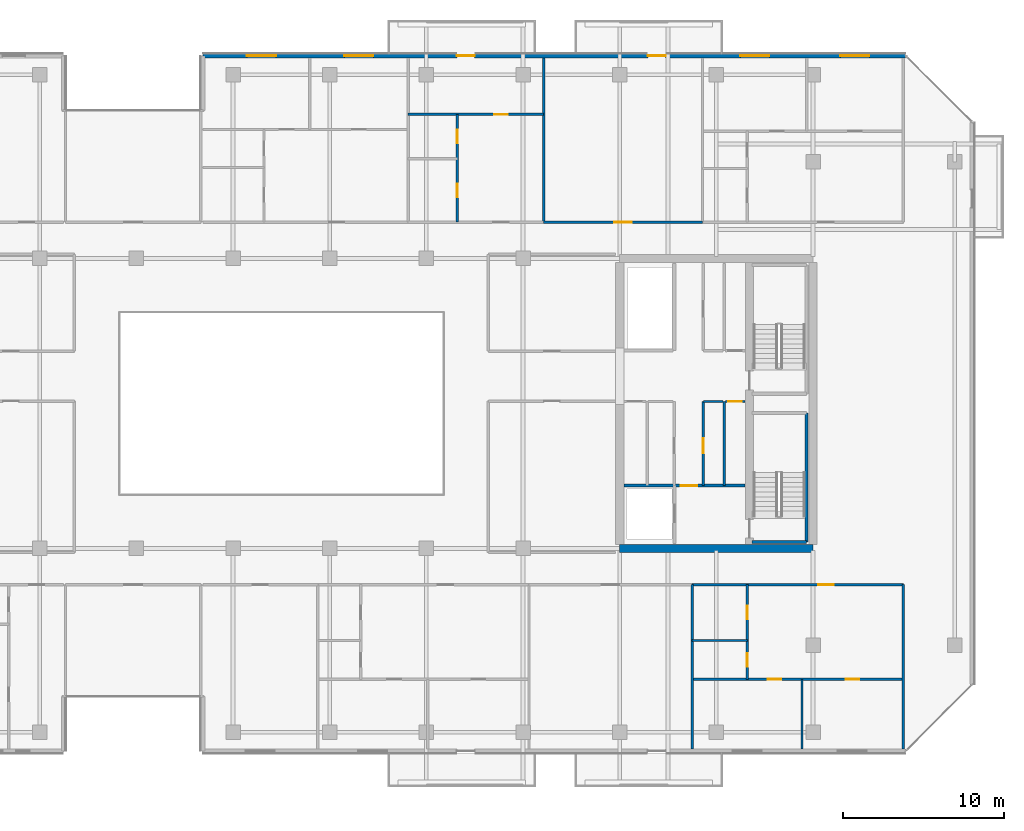
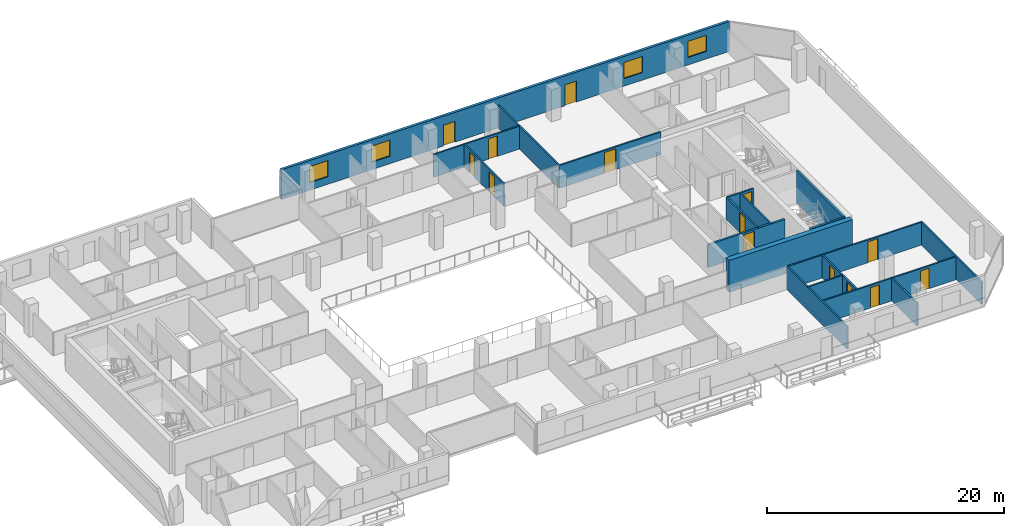
# One storey, part 23 of 29: 20 walls, 14 doors, 4 windows, 18 openings.
"""IFC4 building model written with IfcOpenShell, lengths in metres."""

import ifcopenshell
import ifcopenshell.guid

model = None  # the IFC model being written
_history = None  # IfcOwnerHistory: only IFC2X3 demands one
_inside = {}  # id of a spatial element -> (the spatial element, [elements in it])
_under = {}  # id of a project, library or spatial element -> (it, [spatial elements below it])
_declared = {}  # id of a project -> (the project, [libraries it declares])
_typed = {}  # id of a type object -> (the type object, [elements of that type])
_made_of = {}  # id of a material, layer set ... -> (it, [elements and type objects made of it])


def new_model(schema):
    """Start an empty IFC model of exactly this schema.

    Asked for "IFC4X3", IfcOpenShell would pick the latest addendum, in which some entities
    have other attributes; the version numbers below select the first issue.
    IFC2X3 requires an IfcOwnerHistory on every rooted entity: one is made here for all.
    """
    global model, _history
    if schema == "IFC4X3":
        model = ifcopenshell.file(schema_version=(4, 3, 0, 0))
    else:
        model = ifcopenshell.file(schema=schema)
    _inside.clear()
    _under.clear()
    _declared.clear()
    _typed.clear()
    _made_of.clear()
    _history = None
    if model.schema == "IFC2X3":
        org = make("IfcOrganization", Name="unknown")
        user = make(
            "IfcPersonAndOrganization",
            ThePerson=make("IfcPerson", FamilyName="unknown"),
            TheOrganization=org,
        )
        app = make(
            "IfcApplication",
            ApplicationDeveloper=org,
            Version="unknown",
            ApplicationFullName="unknown",
            ApplicationIdentifier="unknown",
        )
        _history = make(
            "IfcOwnerHistory",
            OwningUser=user,
            OwningApplication=app,
            ChangeAction="ADDED",
            CreationDate=0,
        )
    return model


def make(cls, **values):
    """One entity of the class cls with the attributes given. An attribute that is None is left unset."""
    return model.create_entity(
        cls, **{name: value for name, value in values.items() if value is not None}
    )


def rooted(cls, **values):
    """An entity with a GlobalId (a new one), such as an element, a storey or a relation."""
    return make(cls, GlobalId=ifcopenshell.guid.new(), OwnerHistory=_history, **values)


def si_unit(unit_type, name, prefix=None):
    """IfcSIUnit, for example si_unit("LENGTHUNIT", "METRE", prefix="MILLI")."""
    return make("IfcSIUnit", UnitType=unit_type, Prefix=prefix, Name=name)


def assignment(units):
    """IfcUnitAssignment: the units of a project."""
    return None if units is None else make("IfcUnitAssignment", Units=units)


def point(xyz):
    """IfcCartesianPoint."""
    return None if xyz is None else make("IfcCartesianPoint", Coordinates=xyz)


def direction(xyz):
    """IfcDirection."""
    return None if xyz is None else make("IfcDirection", DirectionRatios=xyz)


def frame(location, z_axis=None, x_axis=None):
    """IfcAxis2Placement3D, a coordinate frame: its origin and axes. An axis left out is left unset."""
    return make(
        "IfcAxis2Placement3D",
        Location=point(location),
        Axis=direction(z_axis),
        RefDirection=direction(x_axis),
    )


def frame_2d(location, x_axis=None):
    """IfcAxis2Placement2D, a coordinate frame in the plane: its origin and x axis."""
    return make(
        "IfcAxis2Placement2D", Location=point(location), RefDirection=direction(x_axis)
    )


def origin():
    """The frame at (0, 0, 0) with its axes left unset."""
    return frame((0.0, 0.0, 0.0))


def place(relative_to, where):
    """IfcLocalPlacement: puts the frame where relative to a parent placement (None: the world)."""
    return make(
        "IfcLocalPlacement", PlacementRelTo=relative_to, RelativePlacement=where
    )


def context(
    kind, dimensions, precision=None, world=None, true_north=None, identifier=None
):
    """IfcGeometricRepresentationContext, for example the 3D "Model" context."""
    return make(
        "IfcGeometricRepresentationContext",
        ContextIdentifier=identifier,
        ContextType=kind,
        CoordinateSpaceDimension=dimensions,
        Precision=precision,
        WorldCoordinateSystem=world,
        TrueNorth=true_north,
    )


def subcontext(parent, identifier, kind, view, scale=None):
    """IfcGeometricRepresentationSubContext, for example "Body" below "Model"."""
    return make(
        "IfcGeometricRepresentationSubContext",
        ContextIdentifier=identifier,
        ContextType=kind,
        ParentContext=parent,
        TargetScale=scale,
        TargetView=view,
    )


def project(units=None, contexts=None):
    """IfcProject with its units and contexts."""
    return rooted(
        "IfcProject",
        Name="project",
        RepresentationContexts=contexts,
        UnitsInContext=assignment(units),
    )


def spatial(cls, under=None, at=None, **own):
    """A site, building, storey or space (cls), placed at a placement, below another one or the project."""
    s = rooted(cls, ObjectPlacement=at, **own)
    if under is not None:
        _under.setdefault(under.id(), (under, []))[1].append(s)
    return s


def profile(cls, at=None, kind="AREA", **sizes):
    """A parametric profile (cls). Its sizes go by their IFC names, for example OverallWidth=200.0."""
    return make(cls, ProfileType=kind, Position=at, **sizes)


def rectangle(**sizes):
    """IfcRectangleProfileDef."""
    return profile("IfcRectangleProfileDef", **sizes)


def extrude(swept, where, along, depth):
    """IfcExtrudedAreaSolid: the profile swept, set in the frame where, extruded along a direction by depth."""
    return make(
        "IfcExtrudedAreaSolid",
        SweptArea=swept,
        Position=where,
        ExtrudedDirection=direction(along),
        Depth=depth,
    )


def shape(context_of_items, identifier, shape_type, items):
    """IfcShapeRepresentation: the items that make up one representation, for example the "Body"."""
    return make(
        "IfcShapeRepresentation",
        ContextOfItems=context_of_items,
        RepresentationIdentifier=identifier,
        RepresentationType=shape_type,
        Items=items,
    )


def material(Name=None, Category=None):
    """IfcMaterial."""
    return make("IfcMaterial", Name=Name, Category=Category)


def layer(
    of_material, thickness, ventilated=None, Name=None, Category=None, Priority=None
):
    """IfcMaterialLayer: one layer of a wall or slab, of a material (None: an air gap)."""
    return make(
        "IfcMaterialLayer",
        Material=of_material,
        LayerThickness=thickness,
        IsVentilated=ventilated,
        Name=Name,
        Category=Category,
        Priority=Priority,
    )


def layer_set(layers, Name=None):
    """IfcMaterialLayerSet."""
    return make("IfcMaterialLayerSet", MaterialLayers=layers, LayerSetName=Name)


def made_of(thing, what):
    """Note that an element or type object is made of a material, layer set ...; save() writes the relation."""
    if what is not None:
        _made_of.setdefault(what.id(), (what, []))[1].append(thing)
    return thing


def type_object(cls, material=None, **own):
    """A type object (cls), such as IfcWallType, which elements share."""
    return made_of(rooted(cls, **own), material)


def element(
    cls,
    number,
    at=None,
    inside=None,
    cuts=None,
    type_object=None,
    material=None,
    context=None,
    identifier="Body",
    shape_type=None,
    held_by="IfcProductDefinitionShape",
    body=None,
    shapes=None,
    **own,
):
    """One element of the class cls, such as IfcWall. Its Tag is "e" and its number.

    at: its placement. inside: the storey or other place that contains it. cuts: it is an
    opening in that element (IfcRelVoidsElement). A single representation is given by context,
    identifier, shape_type and body (its items); several are given by shapes. held_by: the class
    of the entity that holds the representations. save() writes the other relations.
    """
    e = rooted(cls, Tag="e%d" % number, ObjectPlacement=at, **own)
    if body is not None:
        shapes = [shape(context, identifier, shape_type, body)]
    if shapes is not None:
        e.Representation = make(held_by, Representations=shapes)
    if inside is not None:
        _inside.setdefault(inside.id(), (inside, []))[1].append(e)
    if cuts is not None:
        rooted(
            "IfcRelVoidsElement", RelatingBuildingElement=cuts, RelatedOpeningElement=e
        )
    if type_object is not None:
        _typed.setdefault(type_object.id(), (type_object, []))[1].append(e)
    return made_of(e, material)


def fill(opening, filler):
    """IfcRelFillsElement: the door or window that sits in an opening."""
    return rooted(
        "IfcRelFillsElement",
        RelatingOpeningElement=opening,
        RelatedBuildingElement=filler,
    )


def aggregate(whole, parts):
    """IfcRelAggregates: a whole, such as a stair, and the parts it consists of."""
    return rooted("IfcRelAggregates", RelatingObject=whole, RelatedObjects=parts)


def save(model, path):
    """Write the relations noted so far, then the file.

    IfcRelAggregates (storeys below a building ...), IfcRelContainedInSpatialStructure (elements
    in a storey), IfcRelDefinesByType, IfcRelAssociatesMaterial and IfcRelDeclares: one each for
    every whole, place, type object, material and project.
    """
    for whole, parts in _under.values():
        aggregate(whole, parts)
    for where, things in _inside.values():
        rooted(
            "IfcRelContainedInSpatialStructure",
            RelatedElements=things,
            RelatingStructure=where,
        )
    for kind, things in _typed.values():
        rooted("IfcRelDefinesByType", RelatedObjects=things, RelatingType=kind)
    for what, things in _made_of.values():
        rooted("IfcRelAssociatesMaterial", RelatedObjects=things, RelatingMaterial=what)
    for by, libraries in _declared.values():
        rooted("IfcRelDeclares", RelatingContext=by, RelatedDefinitions=libraries)
    model.write(path)


model = new_model("IFC4")

# Units and contexts
model_context = context("Model", 3, precision=1e-05, world=origin(), true_north=direction((0.0, 1.0)))
body_context = subcontext(model_context, "Body", "Model", "MODEL_VIEW")
ifc_project = project(units=[si_unit("LENGTHUNIT", "METRE"), si_unit("AREAUNIT", "SQUARE_METRE"), si_unit("VOLUMEUNIT", "CUBIC_METRE"), si_unit("PLANEANGLEUNIT", "RADIAN"), si_unit("MASSUNIT", "GRAM", prefix="KILO")], contexts=[model_context])

# Site, building, storey
site_placement = place(None, origin())
site = spatial("IfcSite", under=ifc_project, at=site_placement, CompositionType="ELEMENT")
building_placement = place(site_placement, origin())
building = spatial("IfcBuilding", under=site, at=building_placement, Name="Tanjung Sevakor Pilgrim Tower", CompositionType="ELEMENT")
storey_placement = place(building_placement, frame((0.0, 0.0, 151.800048828125)))
storey = spatial("IfcBuildingStorey", under=building, at=storey_placement, Name="L42", CompositionType="ELEMENT", Elevation=151.800048828125)

# Walls
ifc_material_1 = material(Name="Concrete C60/75", Category="concrete")
ifc_layer_1 = layer(ifc_material_1, 0.5)
ifc_layer_set_1 = layer_set([ifc_layer_1], Name="WALL-CW-500")
wall_type_1 = type_object("IfcWallType", Name="WALL-CW-500", PredefinedType="SHEAR", material=ifc_layer_set_1)
wall_1_placement = place(storey_placement, frame((78.0, 24.60009765625, 0.0), z_axis=(0.0, 0.0, 1.0), x_axis=(1.0, 0.0, 0.0)))
element("IfcWall", 1, at=wall_1_placement, inside=storey, type_object=wall_type_1, Name="L42 E Core South Shear Wall", PredefinedType="SHEAR", context=body_context, shape_type="SweptSolid", body=[
    extrude(rectangle(XDim=12.0, YDim=0.5, at=frame_2d((6.0, 0.0))), origin(), (0.0, 0.0, 1.0), 3.300048828125),
])
ifc_material_2 = material(Name="Concrete C40/50", Category="concrete")
ifc_layer_2 = layer(ifc_material_2, 0.14990234375)
ifc_layer_set_2 = layer_set([ifc_layer_2], Name="WT-COMP-150")
wall_type_2 = type_object("IfcWallType", Name="WT-COMP-150", PredefinedType="SOLIDWALL", material=ifc_layer_set_2)
wall_2_placement = place(storey_placement, frame((84.47998046875, 28.5, 0.0), z_axis=(0.0, 0.0, 1.0), x_axis=(0.0, 1.0, 0.0)))
element("IfcWall", 2, at=wall_2_placement, inside=storey, type_object=wall_type_2, Name="L42 Partition IW-L42-019", PredefinedType="SOLIDWALL", context=body_context, shape_type="SweptSolid", body=[
    extrude(rectangle(XDim=5.219970703125, YDim=0.14990234375, at=frame_2d((2.60986328125, 0.0))), origin(), (0.0, 0.0, 1.0), 2.35009765625),
])

# Wall, opening, door
wall_3_placement = place(storey_placement, frame((84.550048828125, 33.719970703125, 0.0), z_axis=(0.0, 0.0, 1.0), x_axis=(1.0, 0.0, 0.0)))
wall_3 = element("IfcWall", 3, at=wall_3_placement, inside=storey, type_object=wall_type_2, Name="L42 Partition IW-L42-020", PredefinedType="SOLIDWALL", context=body_context, shape_type="SweptSolid", body=[
    extrude(rectangle(XDim=1.22998046875, YDim=0.14990234375, at=frame_2d((0.614990234375, 0.0))), origin(), (0.0, 0.0, 1.0), 2.35009765625),
])
opening_1_placement = place(wall_3_placement, frame((0.179931640625, 0.0, 0.0)))
opening_1 = element("IfcOpeningElement", 4, at=opening_1_placement, cuts=wall_3, Name="Opening ID-FD3", PredefinedType="OPENING", context=body_context, shape_type="SweptSolid", body=[
    extrude(rectangle(XDim=0.85009765625, YDim=2.10009765625, at=frame_2d((0.425048828125, 1.050048828125))), frame((0.0, 0.0849609375, 0.0), z_axis=(0.0, -1.0, 0.0), x_axis=(1.0, 0.0, 0.0)), (0.0, 0.0, 1.0), 0.169921875),
])
ifc_material_3 = material(Name="Fire-Rated Timber", Category="wood")
door_type_1 = type_object("IfcDoorType", Name="DT-FIRE-850", OperationType="NOTDEFINED", PredefinedType="DOOR", material=ifc_material_3)
door_1_placement = place(opening_1_placement, origin())
door_1 = element("IfcDoor", 5, at=door_1_placement, inside=storey, type_object=door_type_1, Name="L42 Cleaner Store Door", OperationType="SINGLE_SWING_LEFT", OverallHeight=2.10009765625, OverallWidth=0.85009765625, PredefinedType="DOOR", context=body_context, shape_type="SweptSolid", body=[
    extrude(rectangle(XDim=0.85009765625, YDim=2.10009765625, at=frame_2d((0.425048828125, 1.050048828125))), frame((0.0, 0.02490234375, 0.0), z_axis=(0.0, -1.0, 0.0), x_axis=(1.0, 0.0, 0.0)), (0.0, 0.0, 1.0), 0.050048828125),
])
fill(opening_1, door_1)

# Wall
wall_4_placement = place(storey_placement, frame((83.199951171875, 33.719970703125, 0.0), z_axis=(0.0, 0.0, 1.0), x_axis=(1.0, 0.0, 0.0)))
element("IfcWall", 6, at=wall_4_placement, inside=storey, type_object=wall_type_2, Name="L42 Partition IW-L42-021", PredefinedType="SOLIDWALL", context=body_context, shape_type="SweptSolid", body=[
    extrude(rectangle(XDim=1.219970703125, YDim=0.14990234375, at=frame_2d((0.60986328125, 0.0))), origin(), (0.0, 0.0, 1.0), 2.35009765625),
])

# Wall, opening, door
wall_5_placement = place(storey_placement, frame((83.179931640625, 28.5, 0.0), z_axis=(0.0, 0.0, 1.0), x_axis=(0.0, 1.0, 0.0)))
wall_5 = element("IfcWall", 7, at=wall_5_placement, inside=storey, type_object=wall_type_2, Name="L42 Partition IW-L42-022", PredefinedType="SOLIDWALL", context=body_context, shape_type="SweptSolid", body=[
    extrude(rectangle(XDim=5.219970703125, YDim=0.14990234375, at=frame_2d((2.60986328125, 0.0))), origin(), (0.0, 0.0, 1.0), 2.35009765625),
])
opening_2_placement = place(wall_5_placement, frame((2.0, 0.0, 0.0)))
opening_2 = element("IfcOpeningElement", 8, at=opening_2_placement, cuts=wall_5, Name="Opening ID-FD2", PredefinedType="OPENING", context=body_context, shape_type="SweptSolid", body=[
    extrude(rectangle(XDim=0.949951171875, YDim=2.14990234375, at=frame_2d((0.47509765625, 1.074951171875))), frame((0.0, 0.0849609375, 0.0), z_axis=(0.0, -1.0, 0.0), x_axis=(1.0, 0.0, 0.0)), (0.0, 0.0, 1.0), 0.169921875),
])
ifc_material_4 = material(Name="Fire-Rated Timber", Category="wood")
door_type_2 = type_object("IfcDoorType", Name="DT-FIRE-950", OperationType="NOTDEFINED", PredefinedType="DOOR", material=ifc_material_4)
door_2_placement = place(opening_2_placement, origin())
door_2 = element("IfcDoor", 9, at=door_2_placement, inside=storey, type_object=door_type_2, Name="L42 Housekeeping Pantry Door", OperationType="SINGLE_SWING_RIGHT", OverallHeight=2.14990234375, OverallWidth=0.949951171875, PredefinedType="DOOR", context=body_context, shape_type="SweptSolid", body=[
    extrude(rectangle(XDim=0.949951171875, YDim=2.14990234375, at=frame_2d((0.47509765625, 1.074951171875))), frame((0.0, 0.02490234375, 0.0), z_axis=(0.0, -1.0, 0.0), x_axis=(1.0, 0.0, 0.0)), (0.0, 0.0, 1.0), 0.050048828125),
])
fill(opening_2, door_2)

# Walls
for number, where, z_axis, x_axis, name in (
    (10, (95.60009765625, 12.14990234375, 0.0), (0.0, 0.0, 1.0), (0.0, 1.0, 0.0), "L42 Partition IW-L42-063"),
    (11, (82.49658203125, 12.14990234375, 0.0), (0.0, 0.0, 1.0), (0.0, 1.0, 0.0), "L42 Partition IW-L42-072"),
):
    element("IfcWall", number, at=place(storey_placement, frame(where, z_axis=z_axis, x_axis=x_axis)), inside=storey, type_object=wall_type_2, Name=name, PredefinedType="SOLIDWALL", context=body_context, shape_type="SweptSolid", body=[
        extrude(rectangle(XDim=10.2001953125, YDim=0.14990234375, at=frame_2d((5.10009765625, 0.0))), origin(), (0.0, 0.0, 1.0), 2.35009765625),
    ])

# Wall, opening, door
wall_6_placement = place(storey_placement, frame((82.49658203125, 22.35009765625, 0.0), z_axis=(0.0, 0.0, 1.0), x_axis=(1.0, 0.0, 0.0)))
wall_6 = element("IfcWall", 12, at=wall_6_placement, inside=storey, type_object=wall_type_2, Name="L42 Partition IW-L42-078", PredefinedType="SOLIDWALL", context=body_context, shape_type="SweptSolid", body=[
    extrude(rectangle(XDim=13.103515625, YDim=0.14990234375, at=frame_2d((6.5517578125, 0.0))), origin(), (0.0, 0.0, 1.0), 2.35009765625),
])
opening_3_placement = place(wall_6_placement, frame((7.82861328125, 0.0, 0.0)))
opening_3 = element("IfcOpeningElement", 13, at=opening_3_placement, cuts=wall_6, Name="Opening ID-FD2", PredefinedType="OPENING", context=body_context, shape_type="SweptSolid", body=[
    extrude(rectangle(XDim=0.949951171875, YDim=2.14990234375, at=frame_2d((0.47509765625, 1.074951171875))), frame((0.0, 0.0849609375, 0.0), z_axis=(0.0, -1.0, 0.0), x_axis=(1.0, 0.0, 0.0)), (0.0, 0.0, 1.0), 0.169921875),
])
door_3_placement = place(opening_3_placement, origin())
door_3 = element("IfcDoor", 14, at=door_3_placement, inside=storey, type_object=door_type_2, Name="Suite Entrance", OperationType="SINGLE_SWING_LEFT", OverallHeight=2.14990234375, OverallWidth=0.949951171875, PredefinedType="DOOR", context=body_context, shape_type="SweptSolid", body=[
    extrude(rectangle(XDim=0.949951171875, YDim=2.14990234375, at=frame_2d((0.47509765625, 1.074951171875))), frame((0.0, 0.02490234375, 0.0), z_axis=(0.0, -1.0, 0.0), x_axis=(1.0, 0.0, 0.0)), (0.0, 0.0, 1.0), 0.050048828125),
])
fill(opening_3, door_3)

# Wall
wall_7_placement = place(storey_placement, frame((73.2802734375, 44.85009765625, 0.0), z_axis=(0.0, 0.0, 1.0), x_axis=(0.0, 1.0, 0.0)))
element("IfcWall", 15, at=wall_7_placement, inside=storey, type_object=wall_type_2, Name="L42 Partition IW-L42-096", PredefinedType="SOLIDWALL", context=body_context, shape_type="SweptSolid", body=[
    extrude(rectangle(XDim=10.199951171875, YDim=0.14990234375, at=frame_2d((5.10009765625, 0.0))), origin(), (0.0, 0.0, 1.0), 2.35009765625),
])

# Wall, opening, door
wall_8_placement = place(storey_placement, frame((73.2802734375, 44.85009765625, 0.0), z_axis=(0.0, 0.0, 1.0), x_axis=(1.0, 0.0, 0.0)))
wall_8 = element("IfcWall", 16, at=wall_8_placement, inside=storey, type_object=wall_type_2, Name="L42 Partition IW-L42-102", PredefinedType="SOLIDWALL", context=body_context, shape_type="SweptSolid", body=[
    extrude(rectangle(XDim=9.85546875, YDim=0.14990234375, at=frame_2d((4.927734375, 0.0))), origin(), (0.0, 0.0, 1.0), 2.35009765625),
])
opening_4_placement = place(wall_8_placement, frame((4.377685546875, 0.0, 0.0)))
opening_4 = element("IfcOpeningElement", 17, at=opening_4_placement, cuts=wall_8, Name="Opening ID-FD0", PredefinedType="OPENING", context=body_context, shape_type="SweptSolid", body=[
    extrude(rectangle(XDim=1.10009765625, YDim=2.14990234375, at=frame_2d((0.550048828125, 1.074951171875))), frame((0.0, 0.0849609375, 0.0), z_axis=(0.0, -1.0, 0.0), x_axis=(1.0, 0.0, 0.0)), (0.0, 0.0, 1.0), 0.169921875),
])
ifc_material_5 = material(Name="Fire-Rated Steel S355J2", Category="steel")
door_type_3 = type_object("IfcDoorType", Name="DT-FIRE-1100", OperationType="NOTDEFINED", PredefinedType="DOOR", material=ifc_material_5)
door_4_placement = place(opening_4_placement, origin())
door_4 = element("IfcDoor", 18, at=door_4_placement, inside=storey, type_object=door_type_3, Name="Council Room Door", OperationType="SINGLE_SWING_RIGHT", OverallHeight=2.14990234375, OverallWidth=1.10009765625, PredefinedType="DOOR", context=body_context, shape_type="SweptSolid", body=[
    extrude(rectangle(XDim=1.10009765625, YDim=2.14990234375, at=frame_2d((0.550048828125, 1.074951171875))), frame((0.0, 0.02490234375, 0.0), z_axis=(0.0, -1.0, 0.0), x_axis=(1.0, 0.0, 0.0)), (0.0, 0.0, 1.0), 0.050048828125),
])
fill(opening_4, door_4)

# Wall, openings, doors, windows
ifc_material_6 = material(Name="Precast concrete C45/55", Category="concrete")
ifc_layer_3 = layer(ifc_material_6, 0.25)
ifc_layer_set_3 = layer_set([ifc_layer_3], Name="WT-EW-STN3")
wall_type_3 = type_object("IfcWallType", Name="WT-EW-STN3", PredefinedType="SOLIDWALL", material=ifc_layer_set_3)
wall_9_placement = place(storey_placement, frame((95.748291015625, 55.175048828125, 0.0), z_axis=(0.0, 0.0, 1.0), x_axis=(-1.0, 0.0, 0.0)))
wall_9 = element("IfcWall", 19, at=wall_9_placement, inside=storey, type_object=wall_type_3, Name="L42 MAIN Exterior Wall 9", PredefinedType="SOLIDWALL", context=body_context, shape_type="SweptSolid", body=[
    extrude(rectangle(XDim=43.623291015625, YDim=0.25, at=frame_2d((21.8115234375, 0.0))), origin(), (0.0, 0.0, 1.0), 3.080078125),
])
opening_5_placement = place(wall_9_placement, frame((26.748291015625, 0.0, 0.0)))
opening_5 = element("IfcOpeningElement", 20, at=opening_5_placement, cuts=wall_9, Name="Opening ED-BAL-1100", PredefinedType="OPENING", context=body_context, shape_type="SweptSolid", body=[
    extrude(rectangle(XDim=1.10009765625, YDim=2.14990234375, at=frame_2d((0.550048828125, 1.074951171875))), frame((0.0, 0.135009765625, 0.0), z_axis=(0.0, -1.0, 0.0), x_axis=(1.0, 0.0, 0.0)), (0.0, 0.0, 1.0), 0.27001953125),
])
opening_6_placement = place(wall_9_placement, frame((14.898193359375, 0.0, 0.0)))
opening_6 = element("IfcOpeningElement", 21, at=opening_6_placement, cuts=wall_9, Name="Opening ED-BAL-1100", PredefinedType="OPENING", context=body_context, shape_type="SweptSolid", body=[
    extrude(rectangle(XDim=1.10009765625, YDim=2.14990234375, at=frame_2d((0.550048828125, 1.074951171875))), frame((0.0, 0.135009765625, 0.0), z_axis=(0.0, -1.0, 0.0), x_axis=(1.0, 0.0, 0.0)), (0.0, 0.0, 1.0), 0.27001953125),
])
opening_7_placement = place(wall_9_placement, frame((39.08203125, 0.0, 0.780029296875)))
opening_7 = element("IfcOpeningElement", 22, at=opening_7_placement, cuts=wall_9, Name="Opening WN-Z3-1660", PredefinedType="OPENING", context=body_context, shape_type="SweptSolid", body=[
    extrude(rectangle(XDim=1.800048828125, YDim=1.659912109375, at=frame_2d((0.89990234375, 0.830078125))), frame((0.0, 0.135009765625, 0.0), z_axis=(0.0, -1.0, 0.0), x_axis=(1.0, 0.0, 0.0)), (0.0, 0.0, 1.0), 0.27001953125),
])
opening_8_placement = place(wall_9_placement, frame((33.045166015625, 0.0, 0.780029296875)))
opening_8 = element("IfcOpeningElement", 23, at=opening_8_placement, cuts=wall_9, Name="Opening WN-Z3-1660", PredefinedType="OPENING", context=body_context, shape_type="SweptSolid", body=[
    extrude(rectangle(XDim=1.800048828125, YDim=1.659912109375, at=frame_2d((0.89990234375, 0.830078125))), frame((0.0, 0.135009765625, 0.0), z_axis=(0.0, -1.0, 0.0), x_axis=(1.0, 0.0, 0.0)), (0.0, 0.0, 1.0), 0.27001953125),
])
opening_9_placement = place(wall_9_placement, frame((8.4619140625, 0.0, 0.780029296875)))
opening_9 = element("IfcOpeningElement", 24, at=opening_9_placement, cuts=wall_9, Name="Opening WN-Z3-1660", PredefinedType="OPENING", context=body_context, shape_type="SweptSolid", body=[
    extrude(rectangle(XDim=1.800048828125, YDim=1.659912109375, at=frame_2d((0.89990234375, 0.830078125))), frame((0.0, 0.135009765625, 0.0), z_axis=(0.0, -1.0, 0.0), x_axis=(1.0, 0.0, 0.0)), (0.0, 0.0, 1.0), 0.27001953125),
])
opening_10_placement = place(wall_9_placement, frame((2.249755859375, 0.0, 0.780029296875)))
opening_10 = element("IfcOpeningElement", 25, at=opening_10_placement, cuts=wall_9, Name="Opening WN-Z3-1660", PredefinedType="OPENING", context=body_context, shape_type="SweptSolid", body=[
    extrude(rectangle(XDim=1.800048828125, YDim=1.659912109375, at=frame_2d((0.89990234375, 0.830078125))), frame((0.0, 0.135009765625, 0.0), z_axis=(0.0, -1.0, 0.0), x_axis=(1.0, 0.0, 0.0)), (0.0, 0.0, 1.0), 0.27001953125),
])
ifc_material_7 = material(Name="Anodised Aluminium and Laminated Glass", Category="aluminium")
door_type_4 = type_object("IfcDoorType", Name="DTYP-ED-BAL-1100", OperationType="NOTDEFINED", PredefinedType="DOOR", material=ifc_material_7)
door_5_placement = place(opening_5_placement, frame((1.10009765625, 0.0, 0.0), z_axis=(0.0, 0.0, 1.0), x_axis=(-1.0, 0.0, 0.0)))
door_5 = element("IfcDoor", 26, at=door_5_placement, inside=storey, type_object=door_type_4, Name="L42 Balcony Door MAIN-N2", OperationType="SINGLE_SWING_RIGHT", OverallHeight=2.14990234375, OverallWidth=1.10009765625, PredefinedType="DOOR", context=body_context, shape_type="SweptSolid", body=[
    extrude(rectangle(XDim=1.10009765625, YDim=2.14990234375, at=frame_2d((0.550048828125, 1.074951171875))), frame((0.0, 0.02490234375, 0.0), z_axis=(0.0, -1.0, 0.0), x_axis=(1.0, 0.0, 0.0)), (0.0, 0.0, 1.0), 0.050048828125),
])
fill(opening_5, door_5)
door_6_placement = place(opening_6_placement, frame((1.10009765625, 0.0, 0.0), z_axis=(0.0, 0.0, 1.0), x_axis=(-1.0, 0.0, 0.0)))
door_6 = element("IfcDoor", 27, at=door_6_placement, inside=storey, type_object=door_type_4, Name="L42 Balcony Door MAIN-N3", OperationType="SINGLE_SWING_LEFT", OverallHeight=2.14990234375, OverallWidth=1.10009765625, PredefinedType="DOOR", context=body_context, shape_type="SweptSolid", body=[
    extrude(rectangle(XDim=1.10009765625, YDim=2.14990234375, at=frame_2d((0.550048828125, 1.074951171875))), frame((0.0, 0.02490234375, 0.0), z_axis=(0.0, -1.0, 0.0), x_axis=(1.0, 0.0, 0.0)), (0.0, 0.0, 1.0), 0.050048828125),
])
fill(opening_6, door_6)
ifc_material_8 = material(Name="Thermally Broken Aluminium and Low-E Glass", Category="aluminium")
window_type = type_object("IfcWindowType", Name="WTYP-WN-Z3-1660", PartitioningType="DOUBLE_PANEL_VERTICAL", PredefinedType="WINDOW", material=ifc_material_8)
window_1_placement = place(opening_7_placement, origin())
window_1 = element("IfcWindow", 28, at=window_1_placement, inside=storey, type_object=window_type, Name="L42 Facade Window 01", OverallHeight=1.659912109375, OverallWidth=1.800048828125, PartitioningType="SINGLE_PANEL", PredefinedType="WINDOW", context=body_context, shape_type="SweptSolid", body=[
    extrude(rectangle(XDim=1.800048828125, YDim=1.659912109375, at=frame_2d((0.89990234375, 0.830078125))), frame((0.0, 0.030029296875, 0.0), z_axis=(0.0, -1.0, 0.0), x_axis=(1.0, 0.0, 0.0)), (0.0, 0.0, 1.0), 0.06005859375),
])
fill(opening_7, window_1)
window_2_placement = place(opening_8_placement, origin())
window_2 = element("IfcWindow", 29, at=window_2_placement, inside=storey, type_object=window_type, Name="L42 Facade Window 02", OverallHeight=1.659912109375, OverallWidth=1.800048828125, PartitioningType="SINGLE_PANEL", PredefinedType="WINDOW", context=body_context, shape_type="SweptSolid", body=[
    extrude(rectangle(XDim=1.800048828125, YDim=1.659912109375, at=frame_2d((0.89990234375, 0.830078125))), frame((0.0, 0.030029296875, 0.0), z_axis=(0.0, -1.0, 0.0), x_axis=(1.0, 0.0, 0.0)), (0.0, 0.0, 1.0), 0.06005859375),
])
fill(opening_8, window_2)
window_3_placement = place(opening_9_placement, origin())
window_3 = element("IfcWindow", 30, at=window_3_placement, inside=storey, type_object=window_type, Name="L42 Facade Window 03", OverallHeight=1.659912109375, OverallWidth=1.800048828125, PartitioningType="SINGLE_PANEL", PredefinedType="WINDOW", context=body_context, shape_type="SweptSolid", body=[
    extrude(rectangle(XDim=1.800048828125, YDim=1.659912109375, at=frame_2d((0.89990234375, 0.830078125))), frame((0.0, 0.030029296875, 0.0), z_axis=(0.0, -1.0, 0.0), x_axis=(1.0, 0.0, 0.0)), (0.0, 0.0, 1.0), 0.06005859375),
])
fill(opening_9, window_3)
window_4_placement = place(opening_10_placement, origin())
window_4 = element("IfcWindow", 31, at=window_4_placement, inside=storey, type_object=window_type, Name="L42 Facade Window 04", OverallHeight=1.659912109375, OverallWidth=1.800048828125, PartitioningType="SINGLE_PANEL", PredefinedType="WINDOW", context=body_context, shape_type="SweptSolid", body=[
    extrude(rectangle(XDim=1.800048828125, YDim=1.659912109375, at=frame_2d((0.89990234375, 0.830078125))), frame((0.0, 0.030029296875, 0.0), z_axis=(0.0, -1.0, 0.0), x_axis=(1.0, 0.0, 0.0)), (0.0, 0.0, 1.0), 0.06005859375),
])
fill(opening_10, window_4)

# Walls
ifc_material_9 = material(Name="Concrete C40/50", Category="concrete")
ifc_layer_4 = layer(ifc_material_9, 0.199951171875)
ifc_layer_set_4 = layer_set([ifc_layer_4], Name="WT-FIRE-200")
wall_type_4 = type_object("IfcWallType", Name="WT-FIRE-200", PredefinedType="SOLIDWALL", material=ifc_layer_set_4)
wall_10_placement = place(storey_placement, frame((86.199951171875, 25.0, 0.0), z_axis=(0.0, 0.0, 1.0), x_axis=(1.0, 0.0, 0.0)))
element("IfcWall", 32, at=wall_10_placement, inside=storey, type_object=wall_type_4, Name="L42 TS-E1 Shaft Wall 1", PredefinedType="SOLIDWALL", context=body_context, shape_type="SweptSolid", body=[
    extrude(rectangle(XDim=3.400146484375, YDim=0.199951171875, at=frame_2d((1.7001953125, 0.0))), origin(), (0.0, 0.0, 1.0), 3.300048828125),
])
wall_11_placement = place(storey_placement, frame((89.60009765625, 25.0, 0.0), z_axis=(0.0, 0.0, 1.0), x_axis=(0.0, 1.0, 0.0)))
element("IfcWall", 33, at=wall_11_placement, inside=storey, type_object=wall_type_4, Name="L42 TS-E1 Shaft Wall 2", PredefinedType="SOLIDWALL", context=body_context, shape_type="SweptSolid", body=[
    extrude(rectangle(XDim=8.0, YDim=0.199951171875, at=frame_2d((4.0, 0.0))), origin(), (0.0, 0.0, 1.0), 3.300048828125),
])

# Wall, opening, door
ifc_material_10 = material(Name="Concrete C40/50", Category="concrete")
ifc_layer_5 = layer(ifc_material_10, 0.199951171875)
ifc_layer_set_5 = layer_set([ifc_layer_5], Name="WT-FPRT-200")
wall_type_5 = type_object("IfcWallType", Name="WT-FPRT-200", PredefinedType="SOLIDWALL", material=ifc_layer_set_5)
wall_12_placement = place(storey_placement, frame((78.27001953125, 28.5, 0.0), z_axis=(0.0, 0.0, 1.0), x_axis=(1.0, 0.0, 0.0)))
wall_12 = element("IfcWall", 34, at=wall_12_placement, inside=storey, type_object=wall_type_5, Name="L42 Partition IW-L42-018", PredefinedType="SOLIDWALL", context=body_context, shape_type="SweptSolid", body=[
    extrude(rectangle(XDim=7.510009765625, YDim=0.199951171875, at=frame_2d((3.7548828125, 0.0))), origin(), (0.0, 0.0, 1.0), 2.35009765625),
])
opening_11_placement = place(wall_12_placement, frame((3.530029296875, 0.0, 0.0)))
opening_11 = element("IfcOpeningElement", 35, at=opening_11_placement, cuts=wall_12, Name="Opening ID-FD1", PredefinedType="OPENING", context=body_context, shape_type="SweptSolid", body=[
    extrude(rectangle(XDim=1.0, YDim=2.14990234375, at=frame_2d((0.5, 1.074951171875))), frame((0.0, 0.10986328125, 0.0), z_axis=(0.0, -1.0, 0.0), x_axis=(1.0, 0.0, 0.0)), (0.0, 0.0, 1.0), 0.219970703125),
])
ifc_material_11 = material(Name="Fire-Rated Steel S355J2", Category="steel")
door_type_5 = type_object("IfcDoorType", Name="DT-FIRE-1000", OperationType="NOTDEFINED", PredefinedType="DOOR", material=ifc_material_11)
door_7_placement = place(opening_11_placement, origin())
door_7 = element("IfcDoor", 36, at=door_7_placement, inside=storey, type_object=door_type_5, Name="Fire Lobby Door E", OperationType="SINGLE_SWING_RIGHT", OverallHeight=2.14990234375, OverallWidth=1.0, PredefinedType="DOOR", context=body_context, shape_type="SweptSolid", body=[
    extrude(rectangle(XDim=1.0, YDim=2.14990234375, at=frame_2d((0.5, 1.074951171875))), frame((0.0, 0.02490234375, 0.0), z_axis=(0.0, -1.0, 0.0), x_axis=(1.0, 0.0, 0.0)), (0.0, 0.0, 1.0), 0.050048828125),
])
fill(opening_11, door_7)

# Wall
ifc_material_12 = material(Name="Gypsum Board Partition", Category="gypsum board")
ifc_layer_6 = layer(ifc_material_12, 0.14990234375)
ifc_layer_set_6 = layer_set([ifc_layer_6], Name="WT-PART-150")
wall_type_6 = type_object("IfcWallType", Name="WT-PART-150", PredefinedType="PARTITIONING", material=ifc_layer_set_6)
wall_13_placement = place(storey_placement, frame((82.49658203125, 18.88623046875, 0.0), z_axis=(0.0, 0.0, 1.0), x_axis=(1.0, 0.0, 0.0)))
element("IfcWall", 37, at=wall_13_placement, inside=storey, type_object=wall_type_6, Name="L42 Partition IW-L42-074", PredefinedType="PARTITIONING", context=body_context, shape_type="SweptSolid", body=[
    extrude(rectangle(XDim=3.42333984375, YDim=0.14990234375, at=frame_2d((1.711669921875, 0.0))), origin(), (0.0, 0.0, 1.0), 2.35009765625),
])

# Wall, openings, doors
wall_14_placement = place(storey_placement, frame((85.919921875, 16.4794921875, 0.0), z_axis=(0.0, 0.0, 1.0), x_axis=(0.0, 1.0, 0.0)))
wall_14 = element("IfcWall", 38, at=wall_14_placement, inside=storey, type_object=wall_type_6, Name="L42 Partition IW-L42-075", PredefinedType="PARTITIONING", context=body_context, shape_type="SweptSolid", body=[
    extrude(rectangle(XDim=5.87060546875, YDim=0.14990234375, at=frame_2d((2.935302734375, 0.0))), origin(), (0.0, 0.0, 1.0), 2.35009765625),
])
opening_12_placement = place(wall_14_placement, frame((0.778564453125, 0.0, 0.0)))
opening_12 = element("IfcOpeningElement", 39, at=opening_12_placement, cuts=wall_14, Name="Opening ID-WC1", PredefinedType="OPENING", context=body_context, shape_type="SweptSolid", body=[
    extrude(rectangle(XDim=0.85009765625, YDim=2.10009765625, at=frame_2d((0.425048828125, 1.050048828125))), frame((0.0, 0.0849609375, 0.0), z_axis=(0.0, -1.0, 0.0), x_axis=(1.0, 0.0, 0.0)), (0.0, 0.0, 1.0), 0.169921875),
])
opening_13_placement = place(wall_14_placement, frame((3.7138671875, 0.0, 0.0)))
opening_13 = element("IfcOpeningElement", 40, at=opening_13_placement, cuts=wall_14, Name="Opening ID-WC1", PredefinedType="OPENING", context=body_context, shape_type="SweptSolid", body=[
    extrude(rectangle(XDim=0.85009765625, YDim=2.10009765625, at=frame_2d((0.425048828125, 1.050048828125))), frame((0.0, 0.0849609375, 0.0), z_axis=(0.0, -1.0, 0.0), x_axis=(1.0, 0.0, 0.0)), (0.0, 0.0, 1.0), 0.169921875),
])
ifc_material_13 = material(Name="Moisture-Resistant Timber", Category="wood")
door_type_6 = type_object("IfcDoorType", Name="DT-INT-850", OperationType="NOTDEFINED", PredefinedType="DOOR", material=ifc_material_13)
door_8_placement = place(opening_12_placement, origin())
door_8 = element("IfcDoor", 41, at=door_8_placement, inside=storey, type_object=door_type_6, Name="Suite Bathroom Door", OperationType="SINGLE_SWING_LEFT", OverallHeight=2.10009765625, OverallWidth=0.85009765625, PredefinedType="DOOR", context=body_context, shape_type="SweptSolid", body=[
    extrude(rectangle(XDim=0.85009765625, YDim=2.10009765625, at=frame_2d((0.425048828125, 1.050048828125))), frame((0.0, 0.02490234375, 0.0), z_axis=(0.0, -1.0, 0.0), x_axis=(1.0, 0.0, 0.0)), (0.0, 0.0, 1.0), 0.050048828125),
])
fill(opening_12, door_8)
door_9_placement = place(opening_13_placement, origin())
door_9 = element("IfcDoor", 42, at=door_9_placement, inside=storey, type_object=door_type_6, Name="Suite Kitchenette Door", OperationType="SINGLE_SWING_RIGHT", OverallHeight=2.10009765625, OverallWidth=0.85009765625, PredefinedType="DOOR", context=body_context, shape_type="SweptSolid", body=[
    extrude(rectangle(XDim=0.85009765625, YDim=2.10009765625, at=frame_2d((0.425048828125, 1.050048828125))), frame((0.0, 0.02490234375, 0.0), z_axis=(0.0, -1.0, 0.0), x_axis=(1.0, 0.0, 0.0)), (0.0, 0.0, 1.0), 0.050048828125),
])
fill(opening_13, door_9)

# Wall
wall_15_placement = place(storey_placement, frame((89.310302734375, 12.14990234375, 0.0), z_axis=(0.0, 0.0, 1.0), x_axis=(0.0, 1.0, 0.0)))
element("IfcWall", 43, at=wall_15_placement, inside=storey, type_object=wall_type_6, Name="L42 Partition IW-L42-076", PredefinedType="PARTITIONING", context=body_context, shape_type="SweptSolid", body=[
    extrude(rectangle(XDim=4.32958984375, YDim=0.14990234375, at=frame_2d((2.164794921875, 0.0))), origin(), (0.0, 0.0, 1.0), 2.35009765625),
])

# Wall, openings, doors
wall_16_placement = place(storey_placement, frame((82.49658203125, 16.4794921875, 0.0), z_axis=(0.0, 0.0, 1.0), x_axis=(1.0, 0.0, 0.0)))
wall_16 = element("IfcWall", 44, at=wall_16_placement, inside=storey, type_object=wall_type_6, Name="L42 Partition IW-L42-077", PredefinedType="PARTITIONING", context=body_context, shape_type="SweptSolid", body=[
    extrude(rectangle(XDim=13.103515625, YDim=0.14990234375, at=frame_2d((6.5517578125, 0.0))), origin(), (0.0, 0.0, 1.0), 2.35009765625),
])
opening_14_placement = place(wall_16_placement, frame((4.693603515625, 0.0, 0.0)))
opening_14 = element("IfcOpeningElement", 45, at=opening_14_placement, cuts=wall_16, Name="Opening ID-WC1", PredefinedType="OPENING", context=body_context, shape_type="SweptSolid", body=[
    extrude(rectangle(XDim=0.85009765625, YDim=2.10009765625, at=frame_2d((0.425048828125, 1.050048828125))), frame((0.0, 0.0849609375, 0.0), z_axis=(0.0, -1.0, 0.0), x_axis=(1.0, 0.0, 0.0)), (0.0, 0.0, 1.0), 0.169921875),
])
opening_15_placement = place(wall_16_placement, frame((9.53369140625, 0.0, 0.0)))
opening_15 = element("IfcOpeningElement", 46, at=opening_15_placement, cuts=wall_16, Name="Opening ID-WC1", PredefinedType="OPENING", context=body_context, shape_type="SweptSolid", body=[
    extrude(rectangle(XDim=0.85009765625, YDim=2.10009765625, at=frame_2d((0.425048828125, 1.050048828125))), frame((0.0, 0.0849609375, 0.0), z_axis=(0.0, -1.0, 0.0), x_axis=(1.0, 0.0, 0.0)), (0.0, 0.0, 1.0), 0.169921875),
])
door_10_placement = place(opening_14_placement, origin())
door_10 = element("IfcDoor", 47, at=door_10_placement, inside=storey, type_object=door_type_6, Name="Suite Bedroom 1 Door", OperationType="SINGLE_SWING_LEFT", OverallHeight=2.10009765625, OverallWidth=0.85009765625, PredefinedType="DOOR", context=body_context, shape_type="SweptSolid", body=[
    extrude(rectangle(XDim=0.85009765625, YDim=2.10009765625, at=frame_2d((0.425048828125, 1.050048828125))), frame((0.0, 0.02490234375, 0.0), z_axis=(0.0, -1.0, 0.0), x_axis=(1.0, 0.0, 0.0)), (0.0, 0.0, 1.0), 0.050048828125),
])
fill(opening_14, door_10)
door_11_placement = place(opening_15_placement, origin())
door_11 = element("IfcDoor", 48, at=door_11_placement, inside=storey, type_object=door_type_6, Name="Suite Bedroom 2 Door", OperationType="SINGLE_SWING_RIGHT", OverallHeight=2.10009765625, OverallWidth=0.85009765625, PredefinedType="DOOR", context=body_context, shape_type="SweptSolid", body=[
    extrude(rectangle(XDim=0.85009765625, YDim=2.10009765625, at=frame_2d((0.425048828125, 1.050048828125))), frame((0.0, 0.02490234375, 0.0), z_axis=(0.0, -1.0, 0.0), x_axis=(1.0, 0.0, 0.0)), (0.0, 0.0, 1.0), 0.050048828125),
])
fill(opening_15, door_11)

wall_17_placement = place(storey_placement, frame((67.919921875, 44.85009765625, 0.0), z_axis=(0.0, 0.0, 1.0), x_axis=(0.0, 1.0, 0.0)))
wall_17 = element("IfcWall", 49, at=wall_17_placement, inside=storey, type_object=wall_type_6, Name="L42 Partition IW-L42-098", PredefinedType="PARTITIONING", context=body_context, shape_type="SweptSolid", body=[
    extrude(rectangle(XDim=6.6904296875, YDim=0.14990234375, at=frame_2d((3.34521484375, 0.0))), origin(), (0.0, 0.0, 1.0), 2.35009765625),
])
opening_16_placement = place(wall_17_placement, frame((1.548583984375, 0.0, 0.0)))
opening_16 = element("IfcOpeningElement", 50, at=opening_16_placement, cuts=wall_17, Name="Opening ID-WC1", PredefinedType="OPENING", context=body_context, shape_type="SweptSolid", body=[
    extrude(rectangle(XDim=0.85009765625, YDim=2.10009765625, at=frame_2d((0.425048828125, 1.050048828125))), frame((0.0, 0.0849609375, 0.0), z_axis=(0.0, -1.0, 0.0), x_axis=(1.0, 0.0, 0.0)), (0.0, 0.0, 1.0), 0.169921875),
])
opening_17_placement = place(wall_17_placement, frame((4.89404296875, 0.0, 0.0)))
opening_17 = element("IfcOpeningElement", 51, at=opening_17_placement, cuts=wall_17, Name="Opening ID-WC1", PredefinedType="OPENING", context=body_context, shape_type="SweptSolid", body=[
    extrude(rectangle(XDim=0.85009765625, YDim=2.10009765625, at=frame_2d((0.425048828125, 1.050048828125))), frame((0.0, 0.0849609375, 0.0), z_axis=(0.0, -1.0, 0.0), x_axis=(1.0, 0.0, 0.0)), (0.0, 0.0, 1.0), 0.169921875),
])
door_12_placement = place(opening_16_placement, origin())
door_12 = element("IfcDoor", 52, at=door_12_placement, inside=storey, type_object=door_type_6, Name="Residence Kitchenette Door", OperationType="SINGLE_SWING_RIGHT", OverallHeight=2.10009765625, OverallWidth=0.85009765625, PredefinedType="DOOR", context=body_context, shape_type="SweptSolid", body=[
    extrude(rectangle(XDim=0.85009765625, YDim=2.10009765625, at=frame_2d((0.425048828125, 1.050048828125))), frame((0.0, 0.02490234375, 0.0), z_axis=(0.0, -1.0, 0.0), x_axis=(1.0, 0.0, 0.0)), (0.0, 0.0, 1.0), 0.050048828125),
])
fill(opening_16, door_12)
door_13_placement = place(opening_17_placement, origin())
door_13 = element("IfcDoor", 53, at=door_13_placement, inside=storey, type_object=door_type_6, Name="Residence Bathroom Door", OperationType="SINGLE_SWING_LEFT", OverallHeight=2.10009765625, OverallWidth=0.85009765625, PredefinedType="DOOR", context=body_context, shape_type="SweptSolid", body=[
    extrude(rectangle(XDim=0.85009765625, YDim=2.10009765625, at=frame_2d((0.425048828125, 1.050048828125))), frame((0.0, 0.02490234375, 0.0), z_axis=(0.0, -1.0, 0.0), x_axis=(1.0, 0.0, 0.0)), (0.0, 0.0, 1.0), 0.050048828125),
])
fill(opening_17, door_13)

# Wall, opening, door
wall_18_placement = place(storey_placement, frame((64.8740234375, 51.54052734375, 0.0), z_axis=(0.0, 0.0, 1.0), x_axis=(1.0, 0.0, 0.0)))
wall_18 = element("IfcWall", 54, at=wall_18_placement, inside=storey, type_object=wall_type_6, Name="L42 Partition IW-L42-099", PredefinedType="PARTITIONING", context=body_context, shape_type="SweptSolid", body=[
    extrude(rectangle(XDim=8.40625, YDim=0.14990234375, at=frame_2d((4.203125, 0.0))), origin(), (0.0, 0.0, 1.0), 2.35009765625),
])
opening_18_placement = place(wall_18_placement, frame((5.341064453125, 0.0, 0.0)))
opening_18 = element("IfcOpeningElement", 55, at=opening_18_placement, cuts=wall_18, Name="Opening ID-WC1", PredefinedType="OPENING", context=body_context, shape_type="SweptSolid", body=[
    extrude(rectangle(XDim=0.85009765625, YDim=2.10009765625, at=frame_2d((0.425048828125, 1.050048828125))), frame((0.0, 0.0849609375, 0.0), z_axis=(0.0, -1.0, 0.0), x_axis=(1.0, 0.0, 0.0)), (0.0, 0.0, 1.0), 0.169921875),
])
door_14_placement = place(opening_18_placement, origin())
door_14 = element("IfcDoor", 56, at=door_14_placement, inside=storey, type_object=door_type_6, Name="Residence Bedroom Door", OperationType="SINGLE_SWING_RIGHT", OverallHeight=2.10009765625, OverallWidth=0.85009765625, PredefinedType="DOOR", context=body_context, shape_type="SweptSolid", body=[
    extrude(rectangle(XDim=0.85009765625, YDim=2.10009765625, at=frame_2d((0.425048828125, 1.050048828125))), frame((0.0, 0.02490234375, 0.0), z_axis=(0.0, -1.0, 0.0), x_axis=(1.0, 0.0, 0.0)), (0.0, 0.0, 1.0), 0.050048828125),
])
fill(opening_18, door_14)

save(model, "model.ifc")
